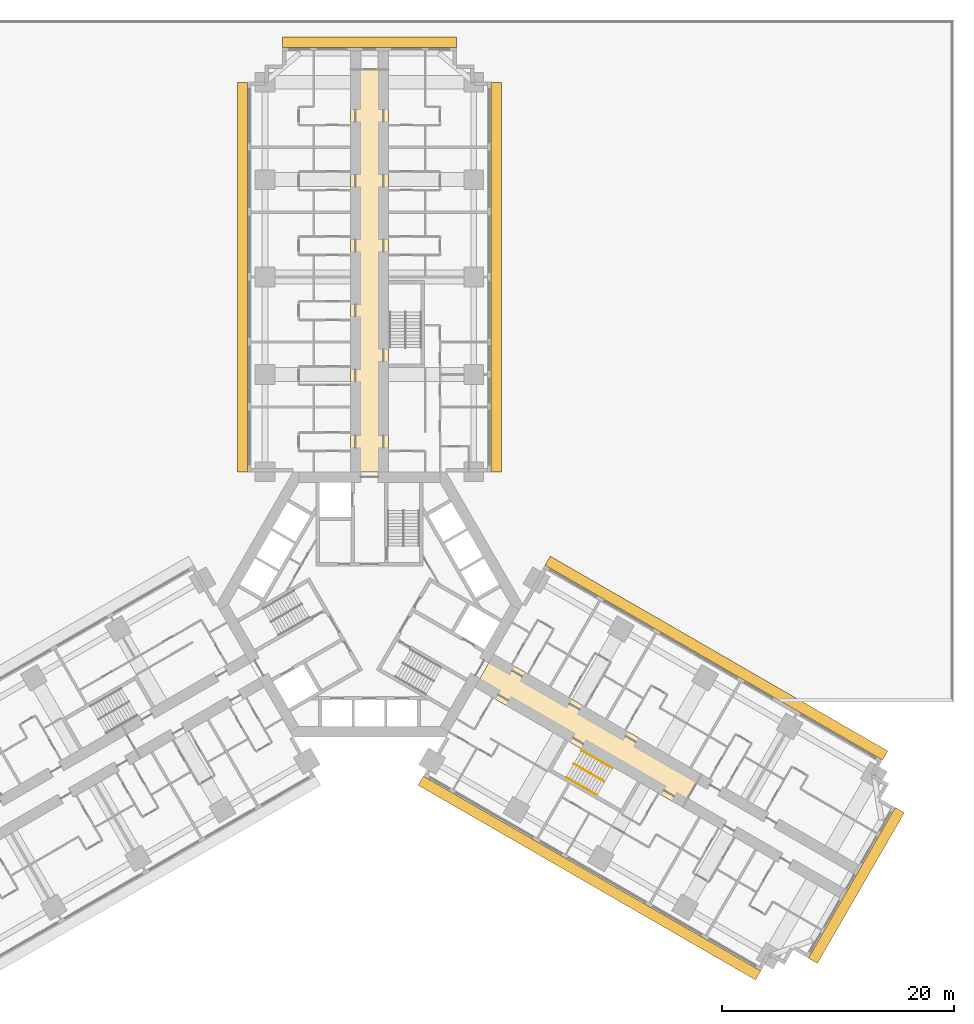
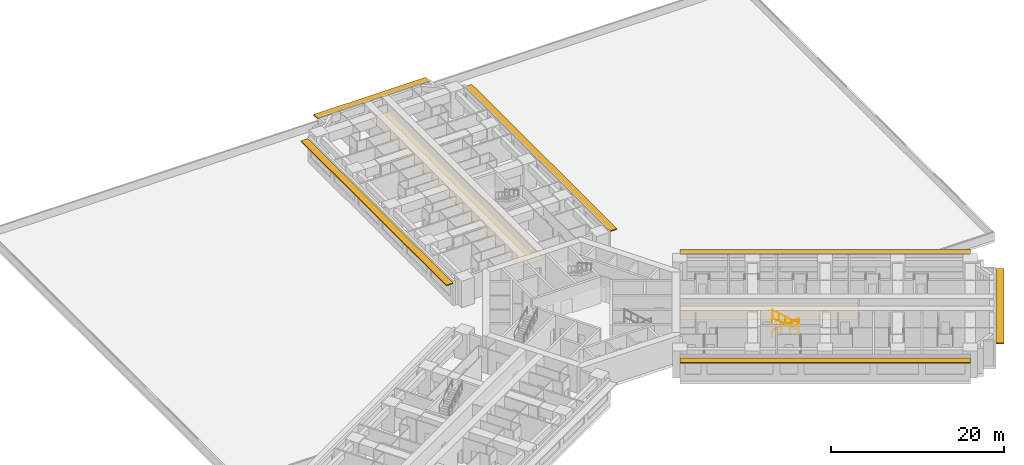
# One storey, part 18 of 18: 3 railings, 2 coverings, 2 shading devices.
"""IFC4 building model written with IfcOpenShell, lengths in metres."""

from ifc_helpers import new_model, si_unit, direction, frame, origin, origin_2d, place, context, subcontext, project, spatial, polyline, rectangle, circle, outline, extrude, material, layer, layer_set, type_object, element, save


model = new_model("IFC4")

# Units and contexts
model_context = context("Model", 3, precision=1e-05, world=origin(), true_north=direction((0.0, 1.0)))
body_context = subcontext(model_context, "Body", "Model", "MODEL_VIEW")
ifc_project = project(units=[si_unit("LENGTHUNIT", "METRE"), si_unit("AREAUNIT", "SQUARE_METRE"), si_unit("VOLUMEUNIT", "CUBIC_METRE"), si_unit("PLANEANGLEUNIT", "RADIAN"), si_unit("MASSUNIT", "GRAM", prefix="KILO")], contexts=[model_context])

# Site, building, storey
site_placement = place(None, origin())
site = spatial("IfcSite", under=ifc_project, at=site_placement, CompositionType="ELEMENT")
building_placement = place(site_placement, origin())
building = spatial("IfcBuilding", under=site, at=building_placement, Name="Impinga Residences", CompositionType="ELEMENT")
storey_placement = place(building_placement, frame((0.0, 0.0, 26.0)))
storey = spatial("IfcBuildingStorey", under=building, at=storey_placement, Name="L05", CompositionType="ELEMENT", Elevation=26.0)

# Coverings
ifc_material_1 = material(Name="Plasterboard 15 mm on steel hangers", Category="steel")
ifc_layer_1 = layer(ifc_material_1, 0.014892578125)
ifc_layer_set_1 = layer_set([ifc_layer_1], Name="Plasterboard 15 mm on steel hangers")
covering_type = type_object("IfcCoveringType", Name="CL1 corridor ceiling, 15 mm plasterboard on hangers", PredefinedType="CEILING", material=ifc_layer_set_1)
covering_1_placement = place(storey_placement, frame((0.0, 0.0, 2.39990234375)))
element("IfcCovering", 1, at=covering_1_placement, inside=storey, type_object=covering_type, Name="Corridor ceiling CL1 L05-N00", PredefinedType="CEILING", context=body_context, shape_type="SweptSolid", body=[
    extrude(outline(polyline([(1.64990234375, 11.431640625), (-1.64990234375, 11.431640625), (-1.64990234375, 46.08154296875), (1.64990234375, 46.08154296875), (1.64990234375, 11.431640625)])), origin(), (0.0, 0.0, 1.0), 0.01513671875),
])
covering_2_placement = place(storey_placement, frame((0.0, 0.0, 2.39990234375)))
element("IfcCovering", 2, at=covering_2_placement, inside=storey, type_object=covering_type, Name="Corridor ceiling CL1 L05-E00", PredefinedType="CEILING", context=body_context, shape_type="SweptSolid", body=[
    extrude(outline(polyline([(9.074951171875, -7.144775390625), (10.72509765625, -4.286865234375), (28.60888671875, -14.612060546875), (26.958740234375, -17.469970703125), (9.074951171875, -7.144775390625)])), origin(), (0.0, 0.0, 1.0), 0.01513671875),
])

# Railings
ifc_material_2 = material(Name="Steel guard, powder coated", Category="steel")
railing_type_1 = type_object("IfcRailingType", Name="GR1 stair guard 1100", PredefinedType="GUARDRAIL", material=ifc_material_2)
railing_1_placement = place(storey_placement, frame((20.283935546875, -15.29052734375, 1.875)))
element("IfcRailing", 3, at=railing_1_placement, inside=storey, type_object=railing_type_1, Name="Stair guard GR1 WS3 L05", PredefinedType="GUARDRAIL", context=body_context, shape_type="SweptSolid", body=[
    extrude(circle(Radius=0.02392578125, at=origin_2d()), frame((0.0, 0.0, 1.076171875), z_axis=(-0.739746383972, 0.427084037168, 0.519975492303), x_axis=(-0.499992328818, -0.866029832698, 0.0)), (0.0, 0.0, 1.0), 3.60595703125),
    extrude(circle(Radius=0.02099609375, at=origin_2d()), origin(), (0.0, 0.0, 1.0), 1.052001953125),
    extrude(circle(Radius=0.02099609375, at=origin_2d()), frame((-0.6669921875, 0.385009765625, 0.46875)), (0.0, 0.0, 1.0), 1.052001953125),
    extrude(circle(Radius=0.02099609375, at=origin_2d()), frame((-1.333740234375, 0.77001953125, 0.9375)), (0.0, 0.0, 1.0), 1.052001953125),
    extrude(circle(Radius=0.02099609375, at=origin_2d()), frame((-2.00048828125, 1.155029296875, 1.40625)), (0.0, 0.0, 1.0), 1.052001953125),
    extrude(circle(Radius=0.02099609375, at=origin_2d()), frame((-2.66748046875, 1.5400390625, 1.875)), (0.0, 0.0, 1.0), 1.052001953125),
])
ifc_material_3 = material(Name="Steel handrail tube 42 mm, powder coated", Category="steel")
railing_type_2 = type_object("IfcRailingType", Name="HR1 stair handrail, 42 mm steel tube, 900 above the pitch line", PredefinedType="HANDRAIL", material=ifc_material_3)
railing_2_placement = place(storey_placement, frame((18.281005859375, -12.599609375, 0.15625)))
element("IfcRailing", 4, at=railing_2_placement, inside=storey, type_object=railing_type_2, Name="Stair handrail HR1 WS3 L05", PredefinedType="HANDRAIL", context=body_context, shape_type="SweptSolid", body=[
    extrude(circle(Radius=0.02099609375, at=origin_2d()), frame((0.0, 0.0, 0.87890625), z_axis=(0.756249203677, -0.436582492228, 0.487322141317), x_axis=(0.499967199496, 0.866044340336, 0.0)), (0.0, 0.0, 1.0), 3.52685546875),
    extrude(circle(Radius=0.012451171875, at=origin_2d()), origin(), (0.0, 0.0, 1.0), 0.85791015625),
    extrude(circle(Radius=0.012451171875, at=origin_2d()), frame((0.88916015625, -0.51318359375, 0.572998046875)), (0.0, 0.0, 1.0), 0.85791015625),
    extrude(circle(Radius=0.012451171875, at=origin_2d()), frame((1.778076171875, -1.026611328125, 1.145751953125)), (0.0, 0.0, 1.0), 0.85791015625),
    extrude(circle(Radius=0.012451171875, at=origin_2d()), frame((2.667236328125, -1.539794921875, 1.71875)), (0.0, 0.0, 1.0), 0.85791015625),
])
railing_3_placement = place(storey_placement, frame((19.619384765625, -16.44140625, 2.03125)))
element("IfcRailing", 5, at=railing_3_placement, inside=storey, type_object=railing_type_2, Name="Stair handrail HR1 WS3 L05", PredefinedType="HANDRAIL", context=body_context, shape_type="SweptSolid", body=[
    extrude(circle(Radius=0.02099609375, at=origin_2d()), frame((0.0, 0.0, 0.87890625), z_axis=(-0.756255980417, 0.436615662133, 0.487281905742), x_axis=(-0.499992328818, -0.866029832698, 0.0)), (0.0, 0.0, 1.0), 3.527099609375),
    extrude(circle(Radius=0.012451171875, at=origin_2d()), origin(), (0.0, 0.0, 1.0), 0.85791015625),
    extrude(circle(Radius=0.012451171875, at=origin_2d()), frame((-0.88916015625, 0.513427734375, 0.572998046875)), (0.0, 0.0, 1.0), 0.85791015625),
    extrude(circle(Radius=0.012451171875, at=origin_2d()), frame((-1.7783203125, 1.026611328125, 1.145751953125)), (0.0, 0.0, 1.0), 0.85791015625),
    extrude(circle(Radius=0.012451171875, at=origin_2d()), frame((-2.66748046875, 1.5400390625, 1.71875)), (0.0, 0.0, 1.0), 0.85791015625),
])

# Shading devices
ifc_material_4 = material(Name="Terracotta sunshade blades on aluminium brackets", Category="masonry")
ifc_layer_2 = layer(ifc_material_4, 0.14990234375)
ifc_layer_set_2 = layer_set([ifc_layer_2], Name="SS1 SUNSHADE terracotta sunshade band 900")
shading_device_type = type_object("IfcShadingDeviceType", Name="SS1 SUNSHADE terracotta sunshade band 900", PredefinedType="USERDEFINED", material=ifc_layer_set_2)
shading_device_1_placement = place(storey_placement, frame((-10.949951171875, 28.2314453125, 3.10009765625), z_axis=(0.0, 0.0, 1.0), x_axis=(0.0, 1.0, 0.0)))
element("IfcShadingDevice", 6, at=shading_device_1_placement, inside=storey, type_object=shading_device_type, Name="SUNSHADE band L05 NORTH WING", ObjectType="SUNSHADE", PredefinedType="USERDEFINED", context=body_context, shape_type="SweptSolid", body=[
    extrude(rectangle(XDim=33.60009765625, YDim=0.89990234375, at=origin_2d()), origin(), (0.0, 0.0, 1.0), 0.14990234375),
    extrude(rectangle(XDim=15.0, YDim=0.89990234375, at=origin_2d()), frame((20.25, -10.949951171875, 0.0), z_axis=(0.0, 0.0, 1.0), x_axis=(0.0, -1.0, 0.0)), (0.0, 0.0, 1.0), 0.14990234375),
    extrude(rectangle(XDim=33.60009765625, YDim=0.89990234375, at=origin_2d()), frame((0.0, -21.89990234375, 0.0), z_axis=(0.0, 0.0, 1.0), x_axis=(-1.0, 0.0, 0.0)), (0.0, 0.0, 1.0), 0.14990234375),
])
shading_device_2_placement = place(storey_placement, frame((29.92431640625, -4.6328125, 3.10009765625), z_axis=(0.0, 0.0, 1.0), x_axis=(0.866025403784, -0.5, 0.0)))
element("IfcShadingDevice", 7, at=shading_device_2_placement, inside=storey, type_object=shading_device_type, Name="SUNSHADE band L05 EAST WING", ObjectType="SUNSHADE", PredefinedType="USERDEFINED", context=body_context, shape_type="SweptSolid", body=[
    extrude(rectangle(XDim=33.60009765625, YDim=0.89990234375, at=origin_2d()), origin(), (0.0, 0.0, 1.0), 0.14990234375),
    extrude(rectangle(XDim=15.0, YDim=0.89990234375, at=origin_2d()), frame((20.25, -10.949951171875, 0.0), z_axis=(0.0, 0.0, 1.0), x_axis=(0.0, -1.0, 0.0)), (0.0, 0.0, 1.0), 0.14990234375),
    extrude(rectangle(XDim=33.60009765625, YDim=0.89990234375, at=origin_2d()), frame((-0.000244140625, -21.89990234375, 0.0), z_axis=(0.0, 0.0, 1.0), x_axis=(-1.0, 0.0, 0.0)), (0.0, 0.0, 1.0), 0.14990234375),
])

save(model, "model.ifc")
